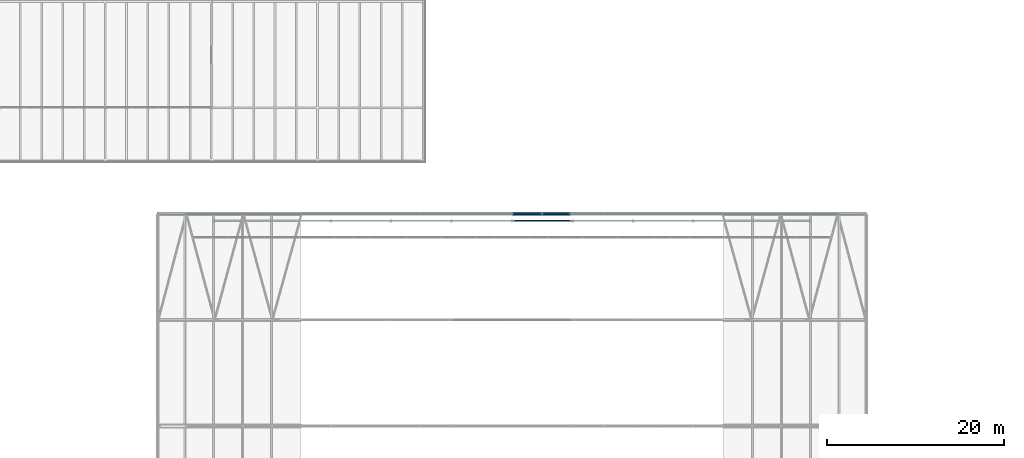
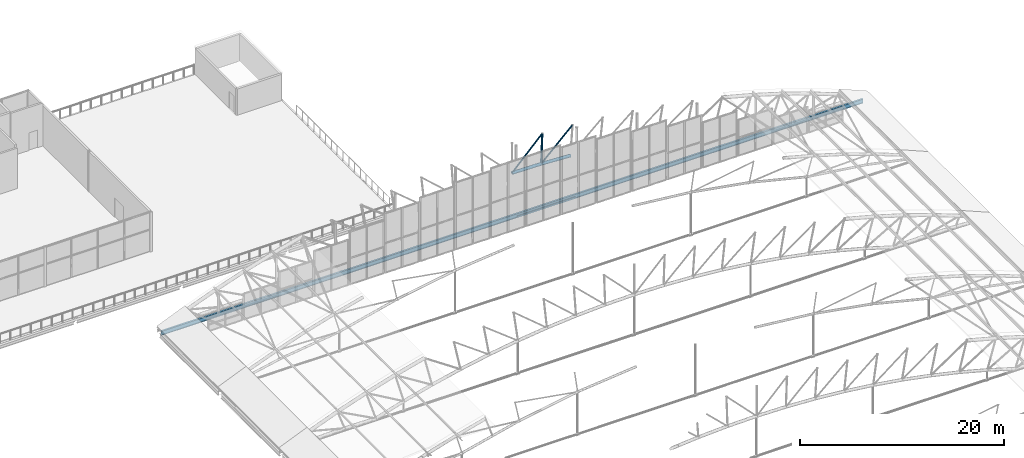
# One storey, part 183 of 321: 6 members, 1 beam.
"""IFC4 building model written with IfcOpenShell, lengths in metres."""

from ifc_helpers import new_model, si_unit, direction, frame, origin, origin_2d, place, context, subcontext, project, spatial, hollow_rectangle, hollow_circle, i_section, extrude, material, material_profile, profile_set, type_object, element, save


model = new_model("IFC4")

# Units and contexts
model_context = context("Model", 3, precision=1e-05, world=origin(), true_north=direction((0.0, 1.0)))
body_context = subcontext(model_context, "Body", "Model", "MODEL_VIEW")
ifc_project = project(units=[si_unit("LENGTHUNIT", "METRE"), si_unit("AREAUNIT", "SQUARE_METRE"), si_unit("VOLUMEUNIT", "CUBIC_METRE"), si_unit("PLANEANGLEUNIT", "RADIAN"), si_unit("MASSUNIT", "GRAM", prefix="KILO")], contexts=[model_context])

# Site, building, storey
site_placement = place(None, origin())
site = spatial("IfcSite", under=ifc_project, at=site_placement, CompositionType="ELEMENT")
building_placement = place(site_placement, origin())
building = spatial("IfcBuilding", under=site, at=building_placement, Name="Ravi Spectrum Wholesale Market", CompositionType="ELEMENT")
storey_placement = place(building_placement, frame((0.0, 0.0, 10.800048828125)))
storey = spatial("IfcBuildingStorey", under=building, at=storey_placement, Name="L02", CompositionType="ELEMENT", Elevation=10.800048828125)

# Members
ifc_material_1 = material(Name="Steel S355", Category="steel")
ifc_material_profile_1 = material_profile(ifc_material_1, hollow_circle(Radius=0.084228515625, WallThickness=0.00634765625, at=origin_2d()))
ifc_profile_set_1 = profile_set([ifc_material_profile_1], Name="Steel S355")
member_type_1 = type_object("IfcMemberType", Name="CHS 168.3x6.3 brace", PredefinedType="BRACE", material=ifc_profile_set_1)
for number, where, z_axis, x_axis, name in (
    (1, (73.4296875, 198.0, 8.3408203125), (-0.695749704847, 0.0, -0.718284308756), (0.0, -1.0, 0.0), "H1-MB-L02-1217"),
    (2, (76.85546875, 198.0, 8.163330078125), (-0.7201093859, 0.0, -0.69386055684), (0.0, -1.0, 0.0), "H1-MB-L02-1218"),
):
    element("IfcMember", number, at=place(storey_placement, frame(where, z_axis=z_axis, x_axis=x_axis)), inside=storey, type_object=member_type_1, Name=name, PredefinedType="BRACE", context=body_context, shape_type="SweptSolid", body=[
        extrude(hollow_circle(Radius=0.084228515625, WallThickness=0.00634765625, at=origin_2d()), origin(), (0.0, 0.0, 1.0), 4.929443359375),
    ])
ifc_material_2 = material(Name="Steel S355", Category="steel")
ifc_material_profile_2 = material_profile(ifc_material_2, hollow_circle(Radius=0.109619140625, WallThickness=0.008056640625, at=origin_2d()))
ifc_profile_set_2 = profile_set([ifc_material_profile_2], Name="Steel S355")
member_type_2 = type_object("IfcMemberType", Name="CHS 219.1x8 post", PredefinedType="POST", material=ifc_profile_set_2)
member_1_placement = place(storey_placement, frame((73.4296875, 198.0, 8.3408203125), z_axis=(-0.034450597287, 0.0, -0.999406401994), x_axis=(0.0, -1.0, 0.0)))
element("IfcMember", 3, at=member_1_placement, inside=storey, type_object=member_type_2, Name="H1-MB-L02-1195", PredefinedType="POST", context=body_context, shape_type="SweptSolid", body=[
    extrude(hollow_circle(Radius=0.109619140625, WallThickness=0.008056640625, at=origin_2d()), origin(), (0.0, 0.0, 1.0), 3.60009765625),
])
ifc_material_3 = material(Name="Steel S355", Category="steel")
ifc_material_profile_3 = material_profile(ifc_material_3, hollow_circle(Radius=0.177734375, WallThickness=0.012451171875, at=origin_2d()))
ifc_profile_set_3 = profile_set([ifc_material_profile_3], Name="Steel S355")
member_type_3 = type_object("IfcMemberType", Name="CHS 355.6x12.5 chord", PredefinedType="CHORD", material=ifc_profile_set_3)
for number, where, z_axis, x_axis, name in (
    (4, (70.0, 198.0, 4.800048828125), (0.999850697486, 0.0, -0.017279546766), (0.0, 1.0, 0.0), "H1-MB-L02-1171"),
    (5, (73.3056640625, 198.0, 4.742919921875), (0.99866314533, 0.0, -0.051690638992), (0.0, 1.0, 0.0), "H1-MB-L02-1172"),
):
    element("IfcMember", number, at=place(storey_placement, frame(where, z_axis=z_axis, x_axis=x_axis)), inside=storey, type_object=member_type_3, Name=name, PredefinedType="CHORD", context=body_context, shape_type="SweptSolid", body=[
        extrude(hollow_circle(Radius=0.177734375, WallThickness=0.012451171875, at=origin_2d()), origin(), (0.0, 0.0, 1.0), 3.30615234375),
    ])

# Beam
ifc_material_4 = material(Name="Steel S355", Category="steel")
ifc_material_profile_4 = material_profile(ifc_material_4, i_section(OverallWidth=0.199951171875, OverallDepth=0.5, WebThickness=0.01025390625, FlangeThickness=0.01611328125, at=origin_2d()))
ifc_profile_set_4 = profile_set([ifc_material_profile_4], Name="Steel S355")
beam_type = type_object("IfcBeamType", Name="IPE 500 girder", PredefinedType="BEAM", material=ifc_profile_set_4)
beam_placement = place(storey_placement, frame((30.25390625, 198.0, -0.449951171875), z_axis=(1.0, 0.0, 0.0), x_axis=(0.0, 1.0, 0.0)))
element("IfcBeam", 6, at=beam_placement, inside=storey, type_object=beam_type, Name="H1-BM-L02-030", PredefinedType="BEAM", context=body_context, shape_type="SweptSolid", body=[
    extrude(i_section(OverallWidth=0.199951171875, OverallDepth=0.5, WebThickness=0.01025390625, FlangeThickness=0.01611328125, at=origin_2d()), origin(), (0.0, 0.0, 1.0), 79.4921875),
])

# Member
ifc_material_5 = material(Name="Steel S355", Category="steel")
ifc_material_profile_5 = material_profile(ifc_material_5, hollow_rectangle(XDim=0.10009765625, YDim=0.199951171875, WallThickness=0.00634765625, InnerFilletRadius=0.00634765625, OuterFilletRadius=0.0126953125, at=origin_2d()))
ifc_profile_set_5 = profile_set([ifc_material_profile_5], Name="Steel S355")
member_type_4 = type_object("IfcMemberType", Name="RHS 200x100x6.3 strut", PredefinedType="STRUT", material=ifc_profile_set_5)
member_2_placement = place(storey_placement, frame((70.136474609375, 197.199951171875, 0.0), z_axis=(1.0, 0.0, 0.0), x_axis=(0.0, 1.0, 0.0)))
element("IfcMember", 7, at=member_2_placement, inside=storey, type_object=member_type_4, Name="H1-MB-L02-1758", PredefinedType="STRUT", context=body_context, shape_type="SweptSolid", body=[
    extrude(hollow_rectangle(XDim=0.10009765625, YDim=0.199951171875, WallThickness=0.00634765625, InnerFilletRadius=0.00634765625, OuterFilletRadius=0.0126953125, at=origin_2d()), origin(), (0.0, 0.0, 1.0), 6.5966796875),
])

save(model, "model.ifc")
